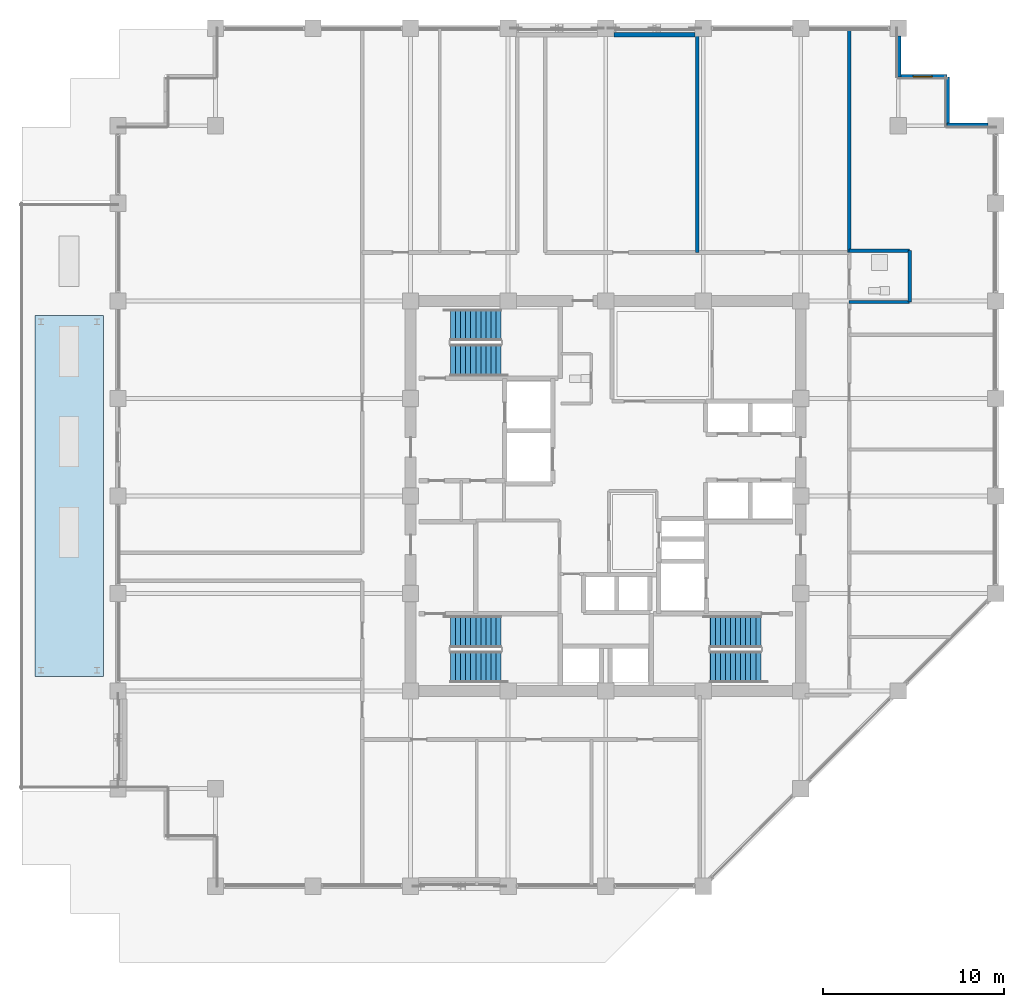
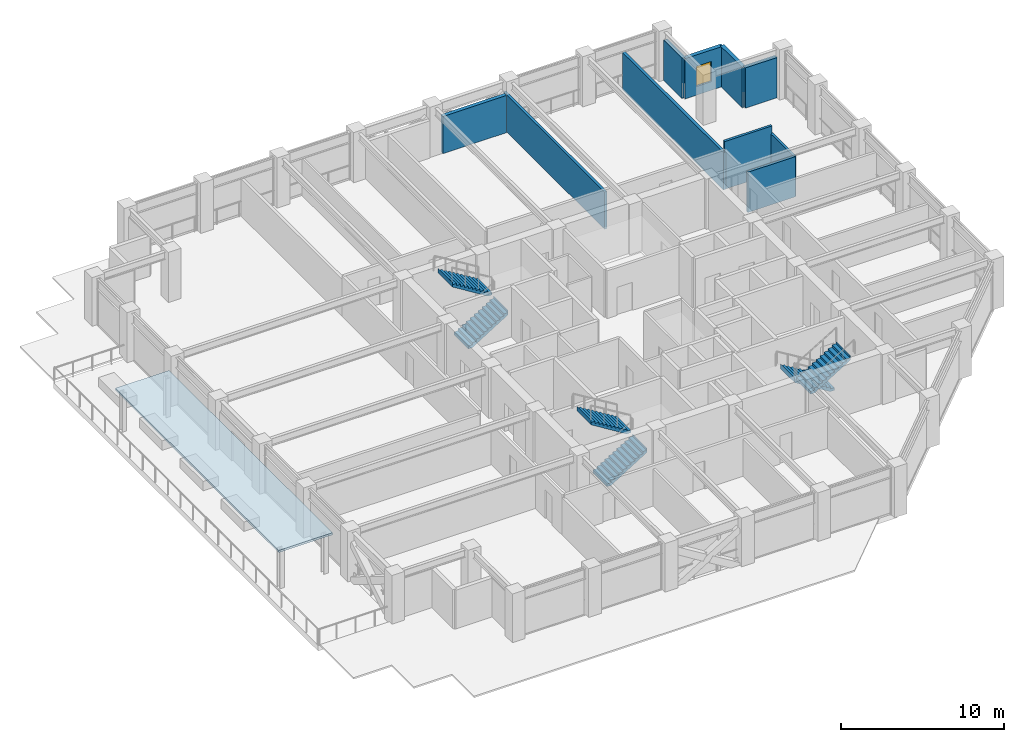
# One storey, part 28 of 36: 10 walls, 6 stair flights, 1 roof, 1 window, 1 opening, 3 elements without a shape of their own.
"""IFC4 building model written with IfcOpenShell, lengths in metres."""

from ifc_helpers import new_model, si_unit, direction, frame, frame_2d, origin, place, context, subcontext, project, spatial, polyline, rectangle, outline, extrude, material, layer, layer_set, type_object, element, fill, aggregate, save


model = new_model("IFC4")

# Units and contexts
model_context = context("Model", 3, precision=1e-05, world=origin(), true_north=direction((0.0, 1.0)))
body_context = subcontext(model_context, "Body", "Model", "MODEL_VIEW")
ifc_project = project(units=[si_unit("LENGTHUNIT", "METRE"), si_unit("AREAUNIT", "SQUARE_METRE"), si_unit("VOLUMEUNIT", "CUBIC_METRE"), si_unit("PLANEANGLEUNIT", "RADIAN"), si_unit("MASSUNIT", "GRAM", prefix="KILO")], contexts=[model_context])

# Site, building, storey
site_placement = place(None, origin())
site = spatial("IfcSite", under=ifc_project, at=site_placement, CompositionType="ELEMENT")
building_placement = place(site_placement, origin())
building = spatial("IfcBuilding", under=site, at=building_placement, Name="Surkhivell Harbour Commons", CompositionType="ELEMENT")
storey_placement = place(building_placement, frame((0.0, 0.0, 171.0)))
storey = spatial("IfcBuildingStorey", under=building, at=storey_placement, Name="L44", CompositionType="ELEMENT", Elevation=171.0)

# Walls
ifc_material_1 = material(Name="Pale-metal insulated precast concrete C45/55", Category="concrete")
ifc_layer_1 = layer(ifc_material_1, 0.260009765625)
ifc_layer_set_1 = layer_set([ifc_layer_1], Name="Pale-metal insulated precast concrete C45/55")
wall_type_1 = type_object("IfcWallType", Name="WAL-EXT-MTL260", PredefinedType="STANDARD", material=ifc_layer_set_1)
wall_1_placement = place(storey_placement, frame((4.951904296875, 25.5400390625, 0.0), z_axis=(0.0, 0.0, 1.0), x_axis=(-1.0, 0.0, 0.0)))
element("IfcWall", 1, at=wall_1_placement, inside=storey, type_object=wall_type_1, Name="L44 Braced-Bay Insulated Spandrel Backing N2", PredefinedType="STANDARD", context=body_context, shape_type="SweptSolid", body=[
    extrude(rectangle(XDim=4.50390625, YDim=0.260009765625, at=frame_2d((2.251953125, 0.0))), origin(), (0.0, 0.0, 1.0), 2.780029296875),
])
ifc_material_2 = material(Name="Terracotta-clad reinforced concrete C45/55", Category="masonry")
ifc_layer_2 = layer(ifc_material_2, 0.280029296875)
ifc_layer_set_2 = layer_set([ifc_layer_2], Name="Terracotta-clad reinforced concrete C45/55")
wall_type_2 = type_object("IfcWallType", Name="WAL-EXT-TER280", PredefinedType="STANDARD", material=ifc_layer_set_2)
wall_2_placement = place(storey_placement, frame((21.152099609375, 20.5, 0.0), z_axis=(0.0, 0.0, 1.0), x_axis=(-1.0, 0.0, 0.0)))
element("IfcWall", 2, at=wall_2_placement, inside=storey, type_object=wall_type_2, Name="L44 Serrated Corner Facade Wall 03", PredefinedType="STANDARD", context=body_context, shape_type="SweptSolid", body=[
    extrude(rectangle(XDim=2.252197265625, YDim=0.280029296875, at=frame_2d((1.1259765625, 0.0))), origin(), (0.0, 0.0, 1.0), 3.006103515625),
])
wall_3_placement = place(storey_placement, frame((18.89990234375, 20.5, 0.0), z_axis=(0.0, 0.0, 1.0), x_axis=(0.0, 1.0, 0.0)))
element("IfcWall", 3, at=wall_3_placement, inside=storey, type_object=wall_type_2, Name="L44 Serrated Corner Facade Wall 04", PredefinedType="STANDARD", context=body_context, shape_type="SweptSolid", body=[
    extrude(rectangle(XDim=2.699951171875, YDim=0.280029296875, at=frame_2d((1.35009765625, 0.0))), origin(), (0.0, 0.0, 1.0), 3.006103515625),
])

# Wall, opening, window
wall_4_placement = place(storey_placement, frame((18.89990234375, 23.199951171875, 0.0), z_axis=(0.0, 0.0, 1.0), x_axis=(-1.0, 0.0, 0.0)))
wall_4 = element("IfcWall", 4, at=wall_4_placement, inside=storey, type_object=wall_type_2, Name="L44 Serrated Corner Facade Wall 05", PredefinedType="STANDARD", context=body_context, shape_type="SweptSolid", body=[
    extrude(rectangle(XDim=2.699951171875, YDim=0.280029296875, at=frame_2d((1.35009765625, 0.0))), origin(), (0.0, 0.0, 1.0), 3.006103515625),
])
opening_placement = place(wall_4_placement, frame((0.824951171875, 0.0, 0.64990234375)))
opening = element("IfcOpeningElement", 5, at=opening_placement, cuts=wall_4, Name="Opening WN-11", PredefinedType="OPENING", context=body_context, shape_type="SweptSolid", body=[
    extrude(rectangle(XDim=1.050048828125, YDim=1.5, at=frame_2d((0.52490234375, 0.75))), frame((0.0, 0.14990234375, 0.0), z_axis=(0.0, -1.0, 0.0), x_axis=(1.0, 0.0, 0.0)), (0.0, 0.0, 1.0), 0.300048828125),
])
ifc_material_3 = material(Name="Thermal-break aluminium frame and double low-E glazing", Category="aluminium")
window_type = type_object("IfcWindowType", Name="WIN-SER-1050x1500", PartitioningType="SINGLE_PANEL", PredefinedType="WINDOW", material=ifc_material_3)
window_placement = place(opening_placement, origin())
window = element("IfcWindow", 6, at=window_placement, inside=storey, type_object=window_type, Name="L44 Serrated Alcove Window 05", OverallHeight=1.5, OverallWidth=1.050048828125, PartitioningType="SINGLE_PANEL", PredefinedType="WINDOW", context=body_context, shape_type="SweptSolid", body=[
    extrude(rectangle(XDim=1.050048828125, YDim=1.5, at=frame_2d((0.52490234375, 0.75))), frame((0.0, 0.030029296875, 0.0), z_axis=(0.0, -1.0, 0.0), x_axis=(1.0, 0.0, 0.0)), (0.0, 0.0, 1.0), 0.06005859375),
])
fill(opening, window)

# Walls
wall_5_placement = place(storey_placement, frame((16.199951171875, 23.199951171875, 0.0), z_axis=(0.0, 0.0, 1.0), x_axis=(0.0, 1.0, 0.0)))
element("IfcWall", 7, at=wall_5_placement, inside=storey, type_object=wall_type_2, Name="L44 Serrated Corner Facade Wall 06", PredefinedType="STANDARD", context=body_context, shape_type="SweptSolid", body=[
    extrude(rectangle(XDim=2.251953125, YDim=0.280029296875, at=frame_2d((1.1259765625, 0.0))), origin(), (0.0, 0.0, 1.0), 3.006103515625),
])
ifc_material_4 = material(Name="High-density acoustic blockwork fire partition", Category="masonry")
ifc_layer_3 = layer(ifc_material_4, 0.175048828125)
ifc_layer_set_3 = layer_set([ifc_layer_3], Name="High-density acoustic blockwork fire partition")
wall_type_3 = type_object("IfcWallType", Name="WAL-INT-175", PredefinedType="PARTITIONING", material=ifc_layer_set_3)
wall_6_placement = place(storey_placement, frame((16.830078125, 10.72998046875, 0.0), z_axis=(0.0, 0.0, 1.0), x_axis=(0.0, 1.0, 0.0)))
element("IfcWall", 8, at=wall_6_placement, inside=storey, type_object=wall_type_3, Name="L44 East Partition BTHB", PredefinedType="PARTITIONING", context=body_context, shape_type="SweptSolid", body=[
    extrude(rectangle(XDim=2.85009765625, YDim=0.175048828125, at=frame_2d((1.425048828125, 0.0))), origin(), (0.0, 0.0, 1.0), 3.006103515625),
])
wall_7_placement = place(storey_placement, frame((13.47998046875, 13.580078125, 0.0), z_axis=(0.0, 0.0, 1.0), x_axis=(1.0, 0.0, 0.0)))
element("IfcWall", 9, at=wall_7_placement, inside=storey, type_object=wall_type_3, Name="L44 East Partition BTHN", PredefinedType="PARTITIONING", context=body_context, shape_type="SweptSolid", body=[
    extrude(rectangle(XDim=3.35009765625, YDim=0.175048828125, at=frame_2d((1.675048828125, 0.0))), origin(), (0.0, 0.0, 1.0), 3.570068359375),
])
wall_8_placement = place(storey_placement, frame((13.47998046875, 10.72998046875, 0.0), z_axis=(0.0, 0.0, 1.0), x_axis=(1.0, 0.0, 0.0)))
element("IfcWall", 10, at=wall_8_placement, inside=storey, type_object=wall_type_3, Name="L44 East Partition BTHS", PredefinedType="PARTITIONING", context=body_context, shape_type="SweptSolid", body=[
    extrude(rectangle(XDim=3.35009765625, YDim=0.175048828125, at=frame_2d((1.675048828125, 0.0))), origin(), (0.0, 0.0, 1.0), 3.006103515625),
])
wall_9_placement = place(storey_placement, frame((5.070068359375, 13.47998046875, 0.0), z_axis=(0.0, 0.0, 1.0), x_axis=(0.0, 1.0, 0.0)))
element("IfcWall", 11, at=wall_9_placement, inside=storey, type_object=wall_type_3, Name="L44 North-East Partition P1", PredefinedType="PARTITIONING", context=body_context, shape_type="SweptSolid", body=[
    extrude(rectangle(XDim=12.360107421875, YDim=0.175048828125, at=frame_2d((6.18017578125, 0.0))), origin(), (0.0, 0.0, 1.0), 2.780029296875),
])
ifc_material_5 = material(Name="Autoclaved aerated concrete blockwork and fire plaster", Category="masonry")
ifc_layer_4 = layer(ifc_material_5, 0.199951171875)
ifc_layer_set_4 = layer_set([ifc_layer_4], Name="Autoclaved aerated concrete blockwork and fire plaster")
wall_type_4 = type_object("IfcWallType", Name="WAL-INT-200", PredefinedType="PARTITIONING", material=ifc_layer_set_4)
wall_10_placement = place(storey_placement, frame((13.47998046875, 13.47998046875, 0.0), z_axis=(0.0, 0.0, 1.0), x_axis=(0.0, 1.0, 0.0)))
element("IfcWall", 12, at=wall_10_placement, inside=storey, type_object=wall_type_4, Name="L44 North-East Corner Wall", PredefinedType="PARTITIONING", context=body_context, shape_type="SweptSolid", body=[
    extrude(rectangle(XDim=12.360107421875, YDim=0.199951171875, at=frame_2d((6.18017578125, 0.0))), origin(), (0.0, 0.0, 1.0), 2.780029296875),
])

# Stair, stair flights
ifc_material_6 = material(Name="Precast concrete C45/55", Category="concrete")
stair_type = type_object("IfcStairType", Name="STR-DL-375", PredefinedType="HALF_TURN_STAIR", material=ifc_material_6)
stair_1_placement = place(storey_placement, origin())
stair_1 = element("IfcStair", 13, at=stair_1_placement, inside=storey, type_object=stair_type, Name="L44 Core Exit Stair ST1", PredefinedType="HALF_TURN_STAIR")
stair_flight_type = type_object("IfcStairFlightType", Name="STF-DL-375", PredefinedType="STRAIGHT", material=ifc_material_6)
stair_flight_1_placement = place(storey_placement, frame((-8.590087890625, 7.514892578125, 0.0), z_axis=(0.0, 0.0, 1.0), x_axis=(1.0, 0.0, 0.0)))
stair_flight_1 = element("IfcStairFlight", 14, at=stair_flight_1_placement, type_object=stair_flight_type, Name="ST1 flight 1", NumberOfRisers=11, NumberOfTreads=10, PredefinedType="STRAIGHT", RiserHeight=0.170454545, TreadLength=0.28, context=body_context, shape_type="SweptSolid", body=[
    extrude(outline(polyline([(-0.0029296875, -0.034912109375), (-0.0029296875, 0.0), (0.0, 0.0), (0.0, 0.17041015625), (0.280029296875, 0.17041015625), (0.280029296875, 0.3408203125), (0.56005859375, 0.3408203125), (0.56005859375, 0.511474609375), (0.840087890625, 0.511474609375), (0.840087890625, 0.681884765625), (1.1201171875, 0.681884765625), (1.1201171875, 0.852294921875), (1.39990234375, 0.852294921875), (1.39990234375, 1.022705078125), (1.679931640625, 1.022705078125), (1.679931640625, 1.193115234375), (1.9599609375, 1.193115234375), (1.9599609375, 1.363525390625), (2.239990234375, 1.363525390625), (2.239990234375, 1.5341796875), (2.52001953125, 1.5341796875), (2.52001953125, 1.70458984375), (2.800048828125, 1.70458984375), (2.800048828125, 1.875), (2.802978515625, 1.875), (2.802978515625, 1.529052734375), (0.288330078125, -0.034912109375), (-0.0029296875, -0.034912109375)])), frame((0.0, 0.875, 0.0), z_axis=(0.0, -1.0, 0.0), x_axis=(1.0, 0.0, 0.0)), (0.0, 0.0, 1.0), 1.75),
])
stair_flight_2_placement = place(storey_placement, frame((-5.7900390625, 9.465087890625, 1.875), z_axis=(0.0, 0.0, 1.0), x_axis=(-1.0, 0.0, 0.0)))
stair_flight_2 = element("IfcStairFlight", 15, at=stair_flight_2_placement, type_object=stair_flight_type, Name="ST1 flight 2", NumberOfRisers=11, NumberOfTreads=10, PredefinedType="STRAIGHT", RiserHeight=0.170454545, TreadLength=0.28, context=body_context, shape_type="SweptSolid", body=[
    extrude(outline(polyline([(-0.0029296875, -0.034912109375), (-0.0029296875, 0.0), (0.0, 0.0), (0.0, 0.17041015625), (0.280029296875, 0.17041015625), (0.280029296875, 0.3408203125), (0.56005859375, 0.3408203125), (0.56005859375, 0.511474609375), (0.840087890625, 0.511474609375), (0.840087890625, 0.681884765625), (1.1201171875, 0.681884765625), (1.1201171875, 0.852294921875), (1.39990234375, 0.852294921875), (1.39990234375, 1.022705078125), (1.679931640625, 1.022705078125), (1.679931640625, 1.193115234375), (1.9599609375, 1.193115234375), (1.9599609375, 1.363525390625), (2.239990234375, 1.363525390625), (2.239990234375, 1.5341796875), (2.52001953125, 1.5341796875), (2.52001953125, 1.70458984375), (2.800048828125, 1.70458984375), (2.800048828125, 1.875), (2.802978515625, 1.875), (2.802978515625, 1.529052734375), (0.288330078125, -0.034912109375), (-0.0029296875, -0.034912109375)])), frame((0.0, 0.875, 0.0), z_axis=(0.0, -1.0, 0.0), x_axis=(1.0, 0.0, 0.0)), (0.0, 0.0, 1.0), 1.75),
])
aggregate(stair_1, [stair_flight_1, stair_flight_2])

stair_2_placement = place(storey_placement, origin())
stair_2 = element("IfcStair", 16, at=stair_2_placement, inside=storey, type_object=stair_type, Name="L44 Core Exit Stair ST2", PredefinedType="HALF_TURN_STAIR")
stair_flight_3_placement = place(storey_placement, frame((8.590087890625, -7.514892578125, 0.0), z_axis=(0.0, 0.0, 1.0), x_axis=(-1.0, 0.0, 0.0)))
stair_flight_3 = element("IfcStairFlight", 17, at=stair_flight_3_placement, type_object=stair_flight_type, Name="ST2 flight 1", NumberOfRisers=11, NumberOfTreads=10, PredefinedType="STRAIGHT", RiserHeight=0.170454545, TreadLength=0.28, context=body_context, shape_type="SweptSolid", body=[
    extrude(outline(polyline([(-0.0029296875, -0.034912109375), (-0.0029296875, 0.0), (0.0, 0.0), (0.0, 0.17041015625), (0.280029296875, 0.17041015625), (0.280029296875, 0.3408203125), (0.56005859375, 0.3408203125), (0.56005859375, 0.511474609375), (0.840087890625, 0.511474609375), (0.840087890625, 0.681884765625), (1.1201171875, 0.681884765625), (1.1201171875, 0.852294921875), (1.39990234375, 0.852294921875), (1.39990234375, 1.022705078125), (1.679931640625, 1.022705078125), (1.679931640625, 1.193115234375), (1.9599609375, 1.193115234375), (1.9599609375, 1.363525390625), (2.239990234375, 1.363525390625), (2.239990234375, 1.5341796875), (2.52001953125, 1.5341796875), (2.52001953125, 1.70458984375), (2.800048828125, 1.70458984375), (2.800048828125, 1.875), (2.802978515625, 1.875), (2.802978515625, 1.529052734375), (0.288330078125, -0.034912109375), (-0.0029296875, -0.034912109375)])), frame((0.0, 0.875, 0.0), z_axis=(0.0, -1.0, 0.0), x_axis=(1.0, 0.0, 0.0)), (0.0, 0.0, 1.0), 1.75),
])
stair_flight_4_placement = place(storey_placement, frame((5.7900390625, -9.465087890625, 1.875), z_axis=(0.0, 0.0, 1.0), x_axis=(1.0, 0.0, 0.0)))
stair_flight_4 = element("IfcStairFlight", 18, at=stair_flight_4_placement, type_object=stair_flight_type, Name="ST2 flight 2", NumberOfRisers=11, NumberOfTreads=10, PredefinedType="STRAIGHT", RiserHeight=0.170454545, TreadLength=0.28, context=body_context, shape_type="SweptSolid", body=[
    extrude(outline(polyline([(-0.0029296875, -0.034912109375), (-0.0029296875, 0.0), (0.0, 0.0), (0.0, 0.17041015625), (0.280029296875, 0.17041015625), (0.280029296875, 0.3408203125), (0.56005859375, 0.3408203125), (0.56005859375, 0.511474609375), (0.840087890625, 0.511474609375), (0.840087890625, 0.681884765625), (1.1201171875, 0.681884765625), (1.1201171875, 0.852294921875), (1.39990234375, 0.852294921875), (1.39990234375, 1.022705078125), (1.679931640625, 1.022705078125), (1.679931640625, 1.193115234375), (1.9599609375, 1.193115234375), (1.9599609375, 1.363525390625), (2.239990234375, 1.363525390625), (2.239990234375, 1.5341796875), (2.52001953125, 1.5341796875), (2.52001953125, 1.70458984375), (2.800048828125, 1.70458984375), (2.800048828125, 1.875), (2.802978515625, 1.875), (2.802978515625, 1.529052734375), (0.288330078125, -0.034912109375), (-0.0029296875, -0.034912109375)])), frame((0.0, 0.875, 0.0), z_axis=(0.0, -1.0, 0.0), x_axis=(1.0, 0.0, 0.0)), (0.0, 0.0, 1.0), 1.75),
])
aggregate(stair_2, [stair_flight_3, stair_flight_4])

stair_3_placement = place(storey_placement, origin())
stair_3 = element("IfcStair", 19, at=stair_3_placement, inside=storey, type_object=stair_type, Name="L44 Core Exit Stair ST3", PredefinedType="HALF_TURN_STAIR")
stair_flight_5_placement = place(storey_placement, frame((-8.590087890625, -9.465087890625, 0.0), z_axis=(0.0, 0.0, 1.0), x_axis=(1.0, 0.0, 0.0)))
stair_flight_5 = element("IfcStairFlight", 20, at=stair_flight_5_placement, type_object=stair_flight_type, Name="ST3 flight 1", NumberOfRisers=11, NumberOfTreads=10, PredefinedType="STRAIGHT", RiserHeight=0.170454545, TreadLength=0.28, context=body_context, shape_type="SweptSolid", body=[
    extrude(outline(polyline([(-0.0029296875, -0.034912109375), (-0.0029296875, 0.0), (0.0, 0.0), (0.0, 0.17041015625), (0.280029296875, 0.17041015625), (0.280029296875, 0.3408203125), (0.56005859375, 0.3408203125), (0.56005859375, 0.511474609375), (0.840087890625, 0.511474609375), (0.840087890625, 0.681884765625), (1.1201171875, 0.681884765625), (1.1201171875, 0.852294921875), (1.39990234375, 0.852294921875), (1.39990234375, 1.022705078125), (1.679931640625, 1.022705078125), (1.679931640625, 1.193115234375), (1.9599609375, 1.193115234375), (1.9599609375, 1.363525390625), (2.239990234375, 1.363525390625), (2.239990234375, 1.5341796875), (2.52001953125, 1.5341796875), (2.52001953125, 1.70458984375), (2.800048828125, 1.70458984375), (2.800048828125, 1.875), (2.802978515625, 1.875), (2.802978515625, 1.529052734375), (0.288330078125, -0.034912109375), (-0.0029296875, -0.034912109375)])), frame((0.0, 0.875, 0.0), z_axis=(0.0, -1.0, 0.0), x_axis=(1.0, 0.0, 0.0)), (0.0, 0.0, 1.0), 1.75),
])
stair_flight_6_placement = place(storey_placement, frame((-5.7900390625, -7.514892578125, 1.875), z_axis=(0.0, 0.0, 1.0), x_axis=(-1.0, 0.0, 0.0)))
stair_flight_6 = element("IfcStairFlight", 21, at=stair_flight_6_placement, type_object=stair_flight_type, Name="ST3 flight 2", NumberOfRisers=11, NumberOfTreads=10, PredefinedType="STRAIGHT", RiserHeight=0.170454545, TreadLength=0.28, context=body_context, shape_type="SweptSolid", body=[
    extrude(outline(polyline([(-0.0029296875, -0.034912109375), (-0.0029296875, 0.0), (0.0, 0.0), (0.0, 0.17041015625), (0.280029296875, 0.17041015625), (0.280029296875, 0.3408203125), (0.56005859375, 0.3408203125), (0.56005859375, 0.511474609375), (0.840087890625, 0.511474609375), (0.840087890625, 0.681884765625), (1.1201171875, 0.681884765625), (1.1201171875, 0.852294921875), (1.39990234375, 0.852294921875), (1.39990234375, 1.022705078125), (1.679931640625, 1.022705078125), (1.679931640625, 1.193115234375), (1.9599609375, 1.193115234375), (1.9599609375, 1.363525390625), (2.239990234375, 1.363525390625), (2.239990234375, 1.5341796875), (2.52001953125, 1.5341796875), (2.52001953125, 1.70458984375), (2.800048828125, 1.70458984375), (2.800048828125, 1.875), (2.802978515625, 1.875), (2.802978515625, 1.529052734375), (0.288330078125, -0.034912109375), (-0.0029296875, -0.034912109375)])), frame((0.0, 0.875, 0.0), z_axis=(0.0, -1.0, 0.0), x_axis=(1.0, 0.0, 0.0)), (0.0, 0.0, 1.0), 1.75),
])
aggregate(stair_3, [stair_flight_5, stair_flight_6])

# Roof
ifc_material_7 = material(Name="Pale-metal aluminium and laminated canopy glass", Category="aluminium")
ifc_layer_5 = layer(ifc_material_7, 0.159912109375)
ifc_layer_set_5 = layer_set([ifc_layer_5], Name="Pale-metal aluminium and laminated canopy glass")
roof_type = type_object("IfcRoofType", Name="ROF-CAN-GLZ", PredefinedType="PAVILION_ROOF", material=ifc_layer_set_5)
roof_placement = place(storey_placement, frame((0.0, 0.0, 2.889892578125)))
element("IfcRoof", 22, at=roof_placement, inside=storey, type_object=roof_type, Name="L44 Glazed Pale-Metal Canopy CAN-SG2", PredefinedType="PAVILION_ROOF", context=body_context, shape_type="SweptSolid", body=[
    extrude(outline(polyline([(-31.60009765625, -10.0), (-27.800048828125, -10.0), (-27.800048828125, 10.0), (-31.60009765625, 10.0), (-31.60009765625, -10.0)])), origin(), (0.0, 0.0, 1.0), 0.16015625),
])

save(model, "model.ifc")
